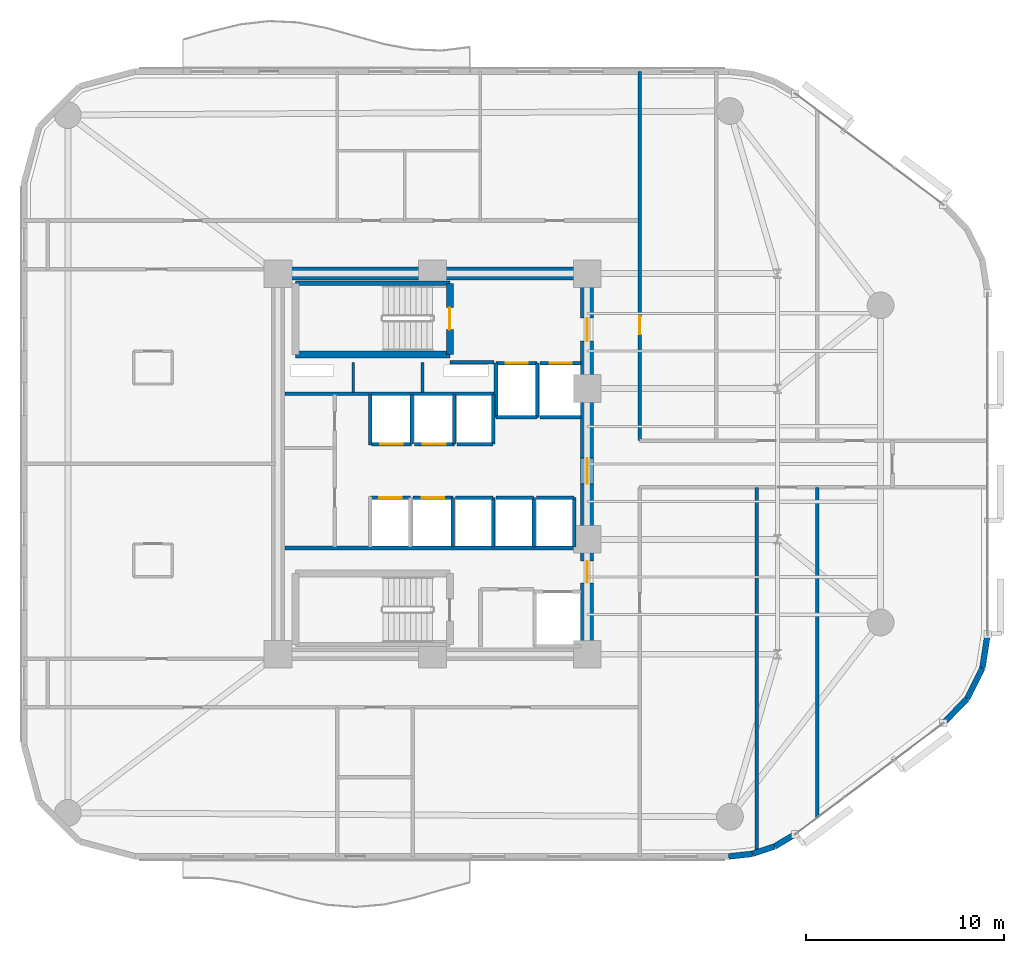
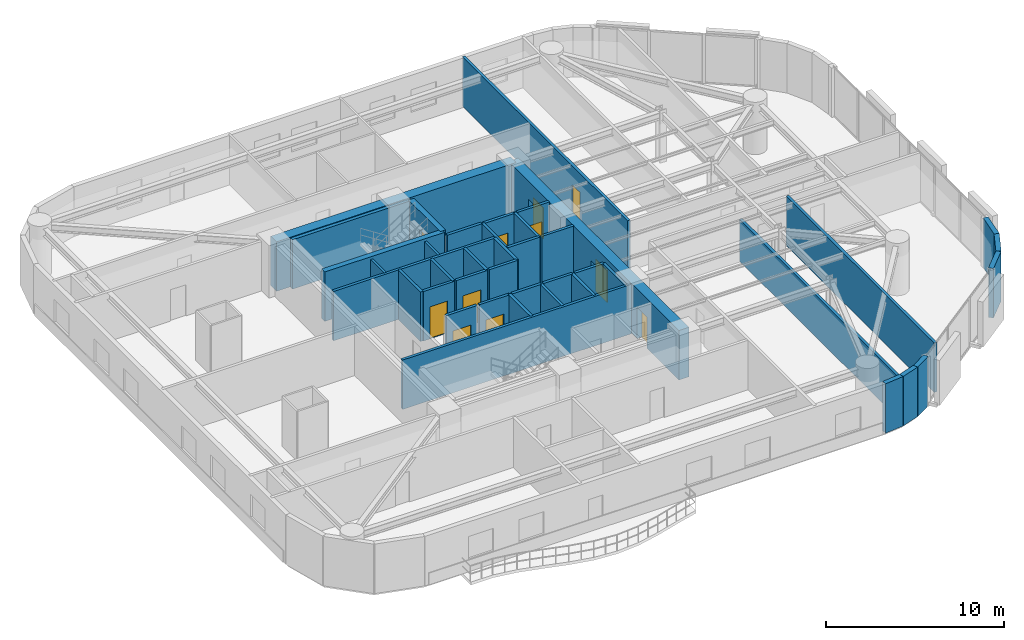
# One storey, part 11 of 16: 41 walls, 11 doors, 11 openings.
"""IFC4 building model written with IfcOpenShell, lengths in metres."""

from ifc_helpers import new_model, si_unit, direction, frame, frame_2d, origin, place, context, subcontext, project, spatial, rectangle, extrude, material, layer, layer_set, type_object, element, fill, save


model = new_model("IFC4")

# Units and contexts
model_context = context("Model", 3, precision=1e-05, world=origin(), true_north=direction((0.0, 1.0)))
body_context = subcontext(model_context, "Body", "Model", "MODEL_VIEW")
ifc_project = project(units=[si_unit("LENGTHUNIT", "METRE"), si_unit("AREAUNIT", "SQUARE_METRE"), si_unit("VOLUMEUNIT", "CUBIC_METRE"), si_unit("PLANEANGLEUNIT", "RADIAN"), si_unit("MASSUNIT", "GRAM", prefix="KILO")], contexts=[model_context])

# Site, building, storey
site_placement = place(None, origin())
site = spatial("IfcSite", under=ifc_project, at=site_placement, CompositionType="ELEMENT")
building_placement = place(site_placement, origin())
building = spatial("IfcBuilding", under=site, at=building_placement, Name="An Khanh Terracotta Commons", CompositionType="ELEMENT")
storey_placement = place(building_placement, frame((0.0, 0.0, 111.5)))
storey = spatial("IfcBuildingStorey", under=building, at=storey_placement, Name="L29", CompositionType="ELEMENT", Elevation=111.5)

# Wall
ifc_material_1 = material(Name="Concrete C60/75", Category="concrete")
ifc_layer_1 = layer(ifc_material_1, 0.64990234375, Name="Concrete C60/75")
ifc_layer_set_1 = layer_set([ifc_layer_1], Name="Concrete C60/75")
wall_type_1 = type_object("IfcWallType", Name="WALL-CORE-650", PredefinedType="SHEAR", material=ifc_layer_set_1)
wall_1_placement = place(storey_placement, frame((21.60009765625, 33.60009765625, 0.0), z_axis=(0.0, 0.0, 1.0), x_axis=(1.0, 0.0, 0.0)))
element("IfcWall", 1, at=wall_1_placement, inside=storey, type_object=wall_type_1, Name="L29 Core Wall CWALL-L29-N", PredefinedType="SHEAR", context=body_context, shape_type="SweptSolid", body=[
    extrude(rectangle(XDim=15.599853515625, YDim=0.64990234375, at=frame_2d((7.7998046875, 0.0))), origin(), (0.0, 0.0, 1.0), 3.39990234375),
])

# Wall, openings, doors
wall_2_placement = place(storey_placement, frame((37.199951171875, 14.39990234375, 0.0), z_axis=(0.0, 0.0, 1.0), x_axis=(0.0, 1.0, 0.0)))
wall_2 = element("IfcWall", 2, at=wall_2_placement, inside=storey, type_object=wall_type_1, Name="L29 Core Wall CWALL-L29-E", PredefinedType="SHEAR", context=body_context, shape_type="SweptSolid", body=[
    extrude(rectangle(XDim=19.2001953125, YDim=0.64990234375, at=frame_2d((9.60009765625, 0.0))), origin(), (0.0, 0.0, 1.0), 3.39990234375),
])
opening_1_placement = place(wall_2_placement, frame((15.800048828125, 0.0, 0.0)))
opening_1 = element("IfcOpeningElement", 3, at=opening_1_placement, cuts=wall_2, Name="Opening D-FFL", PredefinedType="OPENING", context=body_context, shape_type="SweptSolid", body=[
    extrude(rectangle(XDim=1.14990234375, YDim=2.14990234375, at=frame_2d((0.574951171875, 1.074951171875))), frame((0.0, 0.3349609375, 0.0), z_axis=(0.0, -1.0, 0.0), x_axis=(1.0, 0.0, 0.0)), (0.0, 0.0, 1.0), 0.669921875),
])
opening_2_placement = place(wall_2_placement, frame((3.60009765625, 0.0, 0.0)))
opening_2 = element("IfcOpeningElement", 4, at=opening_2_placement, cuts=wall_2, Name="Opening D-ST", PredefinedType="OPENING", context=body_context, shape_type="SweptSolid", body=[
    extrude(rectangle(XDim=1.10009765625, YDim=2.14990234375, at=frame_2d((0.550048828125, 1.074951171875))), frame((0.0, 0.3349609375, 0.0), z_axis=(0.0, -1.0, 0.0), x_axis=(1.0, 0.0, 0.0)), (0.0, 0.0, 1.0), 0.669921875),
])
opening_3_placement = place(wall_2_placement, frame((8.60009765625, 0.0, 0.0)))
opening_3 = element("IfcOpeningElement", 5, at=opening_3_placement, cuts=wall_2, Name="Opening D-COR", PredefinedType="OPENING", context=body_context, shape_type="SweptSolid", body=[
    extrude(rectangle(XDim=1.300048828125, YDim=2.199951171875, at=frame_2d((0.64990234375, 1.10009765625))), frame((0.0, 0.3349609375, 0.0), z_axis=(0.0, -1.0, 0.0), x_axis=(1.0, 0.0, 0.0)), (0.0, 0.0, 1.0), 0.669921875),
])
ifc_material_2 = material(Name="Fire-Rated Glazed Steel Double Door", Category="steel")
door_type_1 = type_object("IfcDoorType", Name="DOOR-CORR-1300", OperationType="NOTDEFINED", PredefinedType="DOOR", material=ifc_material_2)
door_1_placement = place(opening_3_placement, origin())
door_1 = element("IfcDoor", 6, at=door_1_placement, inside=storey, type_object=door_type_1, Name="L29 Passenger Lift Lobby Double Door", OperationType="DOUBLE_DOOR_SINGLE_SWING", OverallHeight=2.199951171875, OverallWidth=1.300048828125, PredefinedType="DOOR", context=body_context, shape_type="SweptSolid", body=[
    extrude(rectangle(XDim=1.300048828125, YDim=2.199951171875, at=frame_2d((0.64990234375, 1.10009765625))), frame((0.0, 0.02490234375, 0.0), z_axis=(0.0, -1.0, 0.0), x_axis=(1.0, 0.0, 0.0)), (0.0, 0.0, 1.0), 0.050048828125),
])
fill(opening_3, door_1)
ifc_material_3 = material(Name="Fire-Rated Steel Leaf and Vision Panel", Category="steel")
door_type_2 = type_object("IfcDoorType", Name="DOOR-FFL-1150", OperationType="NOTDEFINED", PredefinedType="DOOR", material=ifc_material_3)
door_2_placement = place(opening_1_placement, origin())
door_2 = element("IfcDoor", 7, at=door_2_placement, inside=storey, type_object=door_type_2, Name="L29 Firefighting Lift Lobby Fire Door", OperationType="SINGLE_SWING_LEFT", OverallHeight=2.14990234375, OverallWidth=1.14990234375, PredefinedType="DOOR", context=body_context, shape_type="SweptSolid", body=[
    extrude(rectangle(XDim=1.14990234375, YDim=2.14990234375, at=frame_2d((0.574951171875, 1.074951171875))), frame((0.0, 0.02490234375, 0.0), z_axis=(0.0, -1.0, 0.0), x_axis=(1.0, 0.0, 0.0)), (0.0, 0.0, 1.0), 0.050048828125),
])
fill(opening_1, door_2)
ifc_material_4 = material(Name="Fire-Rated Steel Leaf and Frame", Category="steel")
door_type_3 = type_object("IfcDoorType", Name="DOOR-STAIR-1100", OperationType="NOTDEFINED", PredefinedType="DOOR", material=ifc_material_4)
door_3_placement = place(opening_2_placement, origin())
door_3 = element("IfcDoor", 8, at=door_3_placement, inside=storey, type_object=door_type_3, Name="L29 South Stair Lobby Fire Door", OperationType="SINGLE_SWING_RIGHT", OverallHeight=2.14990234375, OverallWidth=1.10009765625, PredefinedType="DOOR", context=body_context, shape_type="SweptSolid", body=[
    extrude(rectangle(XDim=1.10009765625, YDim=2.14990234375, at=frame_2d((0.550048828125, 1.074951171875))), frame((0.0, 0.02490234375, 0.0), z_axis=(0.0, -1.0, 0.0), x_axis=(1.0, 0.0, 0.0)), (0.0, 0.0, 1.0), 0.050048828125),
])
fill(opening_2, door_3)

# Walls
ifc_material_5 = material(Name="Fire-Rated Gypsum Board on Steel Stud", Category="steel")
ifc_layer_2 = layer(ifc_material_5, 0.179931640625, Name="Fire-Rated Gypsum Board on Steel Stud")
ifc_layer_set_2 = layer_set([ifc_layer_2], Name="Fire-Rated Gypsum Board on Steel Stud")
wall_type_2 = type_object("IfcWallType", Name="WALL-CORR-180", PredefinedType="PARTITIONING", material=ifc_layer_set_2)
wall_3_placement = place(storey_placement, frame((30.27001953125, 29.1201171875, 0.0), z_axis=(0.0, 0.0, 1.0), x_axis=(1.0, 0.0, 0.0)))
element("IfcWall", 9, at=wall_3_placement, inside=storey, type_object=wall_type_2, Name="L29 Core Wall FFLW-L29-S", PredefinedType="PARTITIONING", context=body_context, shape_type="SweptSolid", body=[
    extrude(rectangle(XDim=2.239990234375, YDim=0.179931640625, at=frame_2d((1.1201171875, 0.0))), origin(), (0.0, 0.0, 1.0), 3.39990234375),
])
wall_4_placement = place(storey_placement, frame((21.949951171875, 27.5400390625, 0.0), z_axis=(0.0, 0.0, 1.0), x_axis=(1.0, 0.0, 0.0)))
element("IfcWall", 10, at=wall_4_placement, inside=storey, type_object=wall_type_2, Name="L29 Core Wall RSRW-L29-S", PredefinedType="PARTITIONING", context=body_context, shape_type="SweptSolid", body=[
    extrude(rectangle(XDim=10.56005859375, YDim=0.179931640625, at=frame_2d((5.280029296875, 0.0))), origin(), (0.0, 0.0, 1.0), 3.39990234375),
])
wall_5_placement = place(storey_placement, frame((21.949951171875, 19.760009765625, 0.0), z_axis=(0.0, 0.0, 1.0), x_axis=(1.0, 0.0, 0.0)))
element("IfcWall", 11, at=wall_5_placement, inside=storey, type_object=wall_type_2, Name="L29 Core Wall SVW-L29-N", PredefinedType="PARTITIONING", context=body_context, shape_type="SweptSolid", body=[
    extrude(rectangle(XDim=14.8701171875, YDim=0.179931640625, at=frame_2d((7.43505859375, 0.0))), origin(), (0.0, 0.0, 1.0), 3.39990234375),
])

# Wall, opening, door
wall_6_placement = place(storey_placement, frame((32.60009765625, 29.080078125, 0.0), z_axis=(0.0, 0.0, 1.0), x_axis=(1.0, 0.0, 0.0)))
wall_6 = element("IfcWall", 12, at=wall_6_placement, inside=storey, type_object=wall_type_2, Name="L29 Core Wall LSH-L29-FFL-01-N", PredefinedType="PARTITIONING", context=body_context, shape_type="SweptSolid", body=[
    extrude(rectangle(XDim=2.079833984375, YDim=0.179931640625, at=frame_2d((1.0400390625, 0.0))), origin(), (0.0, 0.0, 1.0), 3.39990234375),
])
opening_4_placement = place(wall_6_placement, frame((0.489990234375, 0.0, 0.0)))
opening_4 = element("IfcOpeningElement", 13, at=opening_4_placement, cuts=wall_6, Name="Opening LD-FFL-01-L29", PredefinedType="OPENING", context=body_context, shape_type="SweptSolid", body=[
    extrude(rectangle(XDim=1.10009765625, YDim=2.199951171875, at=frame_2d((0.550048828125, 1.10009765625))), frame((0.0, 0.099853515625, 0.0), z_axis=(0.0, -1.0, 0.0), x_axis=(1.0, 0.0, 0.0)), (0.0, 0.0, 1.0), 0.199951171875),
])
ifc_material_6 = material(Name="Brushed Stainless Steel Fire Landing Door", Category="steel")
door_type_4 = type_object("IfcDoorType", Name="DOOR-LD-FFL-1100", OperationType="NOTDEFINED", PredefinedType="DOOR", material=ifc_material_6)
door_4_placement = place(opening_4_placement, origin())
door_4 = element("IfcDoor", 14, at=door_4_placement, inside=storey, type_object=door_type_4, Name="L29 Lift FFL-01 Sliding Landing Door", OperationType="DOUBLE_DOOR_SLIDING", OverallHeight=2.199951171875, OverallWidth=1.10009765625, PredefinedType="DOOR", context=body_context, shape_type="SweptSolid", body=[
    extrude(rectangle(XDim=1.10009765625, YDim=2.199951171875, at=frame_2d((0.550048828125, 1.10009765625))), frame((0.0, 0.02490234375, 0.0), z_axis=(0.0, -1.0, 0.0), x_axis=(1.0, 0.0, 0.0)), (0.0, 0.0, 1.0), 0.050048828125),
])
fill(opening_4, door_4)

# Walls
wall_7_placement = place(storey_placement, frame((34.679931640625, 26.35009765625, 0.0), z_axis=(0.0, 0.0, 1.0), x_axis=(-1.0, 0.0, 0.0)))
element("IfcWall", 15, at=wall_7_placement, inside=storey, type_object=wall_type_2, Name="L29 Core Wall LSH-L29-FFL-01-S", PredefinedType="PARTITIONING", context=body_context, shape_type="SweptSolid", body=[
    extrude(rectangle(XDim=2.079833984375, YDim=0.179931640625, at=frame_2d((1.0400390625, 0.0))), origin(), (0.0, 0.0, 1.0), 3.39990234375),
])
for number, where, z_axis, x_axis, name in (
    (16, (34.679931640625, 26.35009765625, 0.0), (0.0, 0.0, 1.0), (0.0, 1.0, 0.0), "L29 Core Wall LSH-L29-FFL-01-E"),
    (17, (32.60009765625, 29.080078125, 0.0), (0.0, 0.0, 1.0), (0.0, -1.0, 0.0), "L29 Core Wall LSH-L29-FFL-01-W"),
):
    element("IfcWall", number, at=place(storey_placement, frame(where, z_axis=z_axis, x_axis=x_axis)), inside=storey, type_object=wall_type_2, Name=name, PredefinedType="PARTITIONING", context=body_context, shape_type="SweptSolid", body=[
        extrude(rectangle(XDim=2.72998046875, YDim=0.179931640625, at=frame_2d((1.364990234375, 0.0))), origin(), (0.0, 0.0, 1.0), 3.39990234375),
    ])

# Wall, opening, door
wall_8_placement = place(storey_placement, frame((34.820068359375, 29.080078125, 0.0), z_axis=(0.0, 0.0, 1.0), x_axis=(1.0, 0.0, 0.0)))
wall_8 = element("IfcWall", 18, at=wall_8_placement, inside=storey, type_object=wall_type_2, Name="L29 Core Wall LSH-L29-FFL-02-N", PredefinedType="PARTITIONING", context=body_context, shape_type="SweptSolid", body=[
    extrude(rectangle(XDim=2.079833984375, YDim=0.179931640625, at=frame_2d((1.0400390625, 0.0))), origin(), (0.0, 0.0, 1.0), 3.39990234375),
])
opening_5_placement = place(wall_8_placement, frame((0.489990234375, 0.0, 0.0)))
opening_5 = element("IfcOpeningElement", 19, at=opening_5_placement, cuts=wall_8, Name="Opening LD-FFL-02-L29", PredefinedType="OPENING", context=body_context, shape_type="SweptSolid", body=[
    extrude(rectangle(XDim=1.10009765625, YDim=2.199951171875, at=frame_2d((0.550048828125, 1.10009765625))), frame((0.0, 0.099853515625, 0.0), z_axis=(0.0, -1.0, 0.0), x_axis=(1.0, 0.0, 0.0)), (0.0, 0.0, 1.0), 0.199951171875),
])
door_5_placement = place(opening_5_placement, origin())
door_5 = element("IfcDoor", 20, at=door_5_placement, inside=storey, type_object=door_type_4, Name="L29 Lift FFL-02 Sliding Landing Door", OperationType="DOUBLE_DOOR_SLIDING", OverallHeight=2.199951171875, OverallWidth=1.10009765625, PredefinedType="DOOR", context=body_context, shape_type="SweptSolid", body=[
    extrude(rectangle(XDim=1.10009765625, YDim=2.199951171875, at=frame_2d((0.550048828125, 1.10009765625))), frame((0.0, 0.02490234375, 0.0), z_axis=(0.0, -1.0, 0.0), x_axis=(1.0, 0.0, 0.0)), (0.0, 0.0, 1.0), 0.050048828125),
])
fill(opening_5, door_5)

# Wall
wall_9_placement = place(storey_placement, frame((36.89990234375, 26.35009765625, 0.0), z_axis=(0.0, 0.0, 1.0), x_axis=(-1.0, 0.0, 0.0)))
element("IfcWall", 21, at=wall_9_placement, inside=storey, type_object=wall_type_2, Name="L29 Core Wall LSH-L29-FFL-02-S", PredefinedType="PARTITIONING", context=body_context, shape_type="SweptSolid", body=[
    extrude(rectangle(XDim=2.079833984375, YDim=0.179931640625, at=frame_2d((1.0400390625, 0.0))), origin(), (0.0, 0.0, 1.0), 3.39990234375),
])

# Wall, opening, door
wall_10_placement = place(storey_placement, frame((28.340087890625, 25.0, 0.0), z_axis=(0.0, 0.0, 1.0), x_axis=(-1.0, 0.0, 0.0)))
wall_10 = element("IfcWall", 22, at=wall_10_placement, inside=storey, type_object=wall_type_2, Name="L29 Core Wall LSH-L29-PL-M1-S", PredefinedType="PARTITIONING", context=body_context, shape_type="SweptSolid", body=[
    extrude(rectangle(XDim=2.02001953125, YDim=0.179931640625, at=frame_2d((1.010009765625, 0.0))), origin(), (0.0, 0.0, 1.0), 3.39990234375),
])
opening_6_placement = place(wall_10_placement, frame((0.43505859375, 0.0, 0.0)))
opening_6 = element("IfcOpeningElement", 23, at=opening_6_placement, cuts=wall_10, Name="Opening LD-PL-M1-L29", PredefinedType="OPENING", context=body_context, shape_type="SweptSolid", body=[
    extrude(rectangle(XDim=1.14990234375, YDim=2.199951171875, at=frame_2d((0.574951171875, 1.10009765625))), frame((0.0, 0.099853515625, 0.0), z_axis=(0.0, -1.0, 0.0), x_axis=(1.0, 0.0, 0.0)), (0.0, 0.0, 1.0), 0.199951171875),
])
ifc_material_7 = material(Name="Brushed Stainless Steel Passenger Landing Door", Category="steel")
door_type_5 = type_object("IfcDoorType", Name="DOOR-LD-PAX-1150", OperationType="NOTDEFINED", PredefinedType="DOOR", material=ifc_material_7)
door_6_placement = place(opening_6_placement, origin())
door_6 = element("IfcDoor", 24, at=door_6_placement, inside=storey, type_object=door_type_5, Name="L29 Lift PL-M1 Sliding Landing Door", OperationType="DOUBLE_DOOR_SLIDING", OverallHeight=2.199951171875, OverallWidth=1.14990234375, PredefinedType="DOOR", context=body_context, shape_type="SweptSolid", body=[
    extrude(rectangle(XDim=1.14990234375, YDim=2.199951171875, at=frame_2d((0.574951171875, 1.10009765625))), frame((0.0, 0.02490234375, 0.0), z_axis=(0.0, -1.0, 0.0), x_axis=(1.0, 0.0, 0.0)), (0.0, 0.0, 1.0), 0.050048828125),
])
fill(opening_6, door_6)

# Wall
wall_11_placement = place(storey_placement, frame((28.340087890625, 25.0, 0.0), z_axis=(0.0, 0.0, 1.0), x_axis=(0.0, 1.0, 0.0)))
element("IfcWall", 25, at=wall_11_placement, inside=storey, type_object=wall_type_2, Name="L29 Core Wall LSH-L29-PL-M1-E", PredefinedType="PARTITIONING", context=body_context, shape_type="SweptSolid", body=[
    extrude(rectangle(XDim=2.5, YDim=0.179931640625, at=frame_2d((1.25, 0.0))), origin(), (0.0, 0.0, 1.0), 3.39990234375),
])

# Wall, opening, door
wall_12_placement = place(storey_placement, frame((30.5, 25.0, 0.0), z_axis=(0.0, 0.0, 1.0), x_axis=(-1.0, 0.0, 0.0)))
wall_12 = element("IfcWall", 26, at=wall_12_placement, inside=storey, type_object=wall_type_2, Name="L29 Core Wall LSH-L29-PL-M2-S", PredefinedType="PARTITIONING", context=body_context, shape_type="SweptSolid", body=[
    extrude(rectangle(XDim=2.02001953125, YDim=0.179931640625, at=frame_2d((1.010009765625, 0.0))), origin(), (0.0, 0.0, 1.0), 3.39990234375),
])
opening_7_placement = place(wall_12_placement, frame((0.43505859375, 0.0, 0.0)))
opening_7 = element("IfcOpeningElement", 27, at=opening_7_placement, cuts=wall_12, Name="Opening LD-PL-M2-L29", PredefinedType="OPENING", context=body_context, shape_type="SweptSolid", body=[
    extrude(rectangle(XDim=1.14990234375, YDim=2.199951171875, at=frame_2d((0.574951171875, 1.10009765625))), frame((0.0, 0.099853515625, 0.0), z_axis=(0.0, -1.0, 0.0), x_axis=(1.0, 0.0, 0.0)), (0.0, 0.0, 1.0), 0.199951171875),
])
door_7_placement = place(opening_7_placement, origin())
door_7 = element("IfcDoor", 28, at=door_7_placement, inside=storey, type_object=door_type_5, Name="L29 Lift PL-M2 Sliding Landing Door", OperationType="DOUBLE_DOOR_SLIDING", OverallHeight=2.199951171875, OverallWidth=1.14990234375, PredefinedType="DOOR", context=body_context, shape_type="SweptSolid", body=[
    extrude(rectangle(XDim=1.14990234375, YDim=2.199951171875, at=frame_2d((0.574951171875, 1.10009765625))), frame((0.0, 0.02490234375, 0.0), z_axis=(0.0, -1.0, 0.0), x_axis=(1.0, 0.0, 0.0)), (0.0, 0.0, 1.0), 0.050048828125),
])
fill(opening_7, door_7)

# Wall
wall_13_placement = place(storey_placement, frame((30.5, 25.0, 0.0), z_axis=(0.0, 0.0, 1.0), x_axis=(0.0, 1.0, 0.0)))
element("IfcWall", 29, at=wall_13_placement, inside=storey, type_object=wall_type_2, Name="L29 Core Wall LSH-L29-PL-M2-E", PredefinedType="PARTITIONING", context=body_context, shape_type="SweptSolid", body=[
    extrude(rectangle(XDim=2.5, YDim=0.179931640625, at=frame_2d((1.25, 0.0))), origin(), (0.0, 0.0, 1.0), 3.39990234375),
])

# Wall, opening, door
wall_14_placement = place(storey_placement, frame((26.280029296875, 22.300048828125, 0.0), z_axis=(0.0, 0.0, 1.0), x_axis=(1.0, 0.0, 0.0)))
wall_14 = element("IfcWall", 30, at=wall_14_placement, inside=storey, type_object=wall_type_2, Name="L29 Core Wall LSH-L29-PL-M3-N", PredefinedType="PARTITIONING", context=body_context, shape_type="SweptSolid", body=[
    extrude(rectangle(XDim=2.0, YDim=0.179931640625, at=frame_2d((1.0, 0.0))), origin(), (0.0, 0.0, 1.0), 3.39990234375),
])
opening_8_placement = place(wall_14_placement, frame((0.425048828125, 0.0, 0.0)))
opening_8 = element("IfcOpeningElement", 31, at=opening_8_placement, cuts=wall_14, Name="Opening LD-PL-M3-L29", PredefinedType="OPENING", context=body_context, shape_type="SweptSolid", body=[
    extrude(rectangle(XDim=1.14990234375, YDim=2.199951171875, at=frame_2d((0.574951171875, 1.10009765625))), frame((0.0, 0.099853515625, 0.0), z_axis=(0.0, -1.0, 0.0), x_axis=(1.0, 0.0, 0.0)), (0.0, 0.0, 1.0), 0.199951171875),
])
door_8_placement = place(opening_8_placement, origin())
door_8 = element("IfcDoor", 32, at=door_8_placement, inside=storey, type_object=door_type_5, Name="L29 Lift PL-M3 Sliding Landing Door", OperationType="DOUBLE_DOOR_SLIDING", OverallHeight=2.199951171875, OverallWidth=1.14990234375, PredefinedType="DOOR", context=body_context, shape_type="SweptSolid", body=[
    extrude(rectangle(XDim=1.14990234375, YDim=2.199951171875, at=frame_2d((0.574951171875, 1.10009765625))), frame((0.0, 0.02490234375, 0.0), z_axis=(0.0, -1.0, 0.0), x_axis=(1.0, 0.0, 0.0)), (0.0, 0.0, 1.0), 0.050048828125),
])
fill(opening_8, door_8)

wall_15_placement = place(storey_placement, frame((28.419921875, 22.300048828125, 0.0), z_axis=(0.0, 0.0, 1.0), x_axis=(1.0, 0.0, 0.0)))
wall_15 = element("IfcWall", 33, at=wall_15_placement, inside=storey, type_object=wall_type_2, Name="L29 Core Wall LSH-L29-PL-M4-N", PredefinedType="PARTITIONING", context=body_context, shape_type="SweptSolid", body=[
    extrude(rectangle(XDim=2.0, YDim=0.179931640625, at=frame_2d((1.0, 0.0))), origin(), (0.0, 0.0, 1.0), 3.39990234375),
])
opening_9_placement = place(wall_15_placement, frame((0.425048828125, 0.0, 0.0)))
opening_9 = element("IfcOpeningElement", 34, at=opening_9_placement, cuts=wall_15, Name="Opening LD-PL-M4-L29", PredefinedType="OPENING", context=body_context, shape_type="SweptSolid", body=[
    extrude(rectangle(XDim=1.14990234375, YDim=2.199951171875, at=frame_2d((0.574951171875, 1.10009765625))), frame((0.0, 0.099853515625, 0.0), z_axis=(0.0, -1.0, 0.0), x_axis=(1.0, 0.0, 0.0)), (0.0, 0.0, 1.0), 0.199951171875),
])
door_9_placement = place(opening_9_placement, origin())
door_9 = element("IfcDoor", 35, at=door_9_placement, inside=storey, type_object=door_type_5, Name="L29 Lift PL-M4 Sliding Landing Door", OperationType="DOUBLE_DOOR_SLIDING", OverallHeight=2.199951171875, OverallWidth=1.14990234375, PredefinedType="DOOR", context=body_context, shape_type="SweptSolid", body=[
    extrude(rectangle(XDim=1.14990234375, YDim=2.199951171875, at=frame_2d((0.574951171875, 1.10009765625))), frame((0.0, 0.02490234375, 0.0), z_axis=(0.0, -1.0, 0.0), x_axis=(1.0, 0.0, 0.0)), (0.0, 0.0, 1.0), 0.050048828125),
])
fill(opening_9, door_9)

# Walls
wall_16_placement = place(storey_placement, frame((30.419921875, 19.800048828125, 0.0), z_axis=(0.0, 0.0, 1.0), x_axis=(0.0, 1.0, 0.0)))
element("IfcWall", 36, at=wall_16_placement, inside=storey, type_object=wall_type_2, Name="L29 Core Wall LSH-L29-PL-M4-E", PredefinedType="PARTITIONING", context=body_context, shape_type="SweptSolid", body=[
    extrude(rectangle(XDim=2.5, YDim=0.179931640625, at=frame_2d((1.25, 0.0))), origin(), (0.0, 0.0, 1.0), 3.39990234375),
])
wall_17_placement = place(storey_placement, frame((32.4599609375, 25.0, 0.0), z_axis=(0.0, 0.0, 1.0), x_axis=(-1.0, 0.0, 0.0)))
element("IfcWall", 37, at=wall_17_placement, inside=storey, type_object=wall_type_2, Name="L29 Core Wall LSH-L29-PL-H1-S", PredefinedType="PARTITIONING", context=body_context, shape_type="SweptSolid", body=[
    extrude(rectangle(XDim=1.820068359375, YDim=0.179931640625, at=frame_2d((0.91015625, 0.0))), origin(), (0.0, 0.0, 1.0), 3.39990234375),
])
wall_18_placement = place(storey_placement, frame((32.4599609375, 25.0, 0.0), z_axis=(0.0, 0.0, 1.0), x_axis=(0.0, 1.0, 0.0)))
element("IfcWall", 38, at=wall_18_placement, inside=storey, type_object=wall_type_2, Name="L29 Core Wall LSH-L29-PL-H1-E", PredefinedType="PARTITIONING", context=body_context, shape_type="SweptSolid", body=[
    extrude(rectangle(XDim=2.5, YDim=0.179931640625, at=frame_2d((1.25, 0.0))), origin(), (0.0, 0.0, 1.0), 3.39990234375),
])
wall_19_placement = place(storey_placement, frame((30.56005859375, 22.300048828125, 0.0), z_axis=(0.0, 0.0, 1.0), x_axis=(1.0, 0.0, 0.0)))
element("IfcWall", 39, at=wall_19_placement, inside=storey, type_object=wall_type_2, Name="L29 Core Wall LSH-L29-PL-H2-N", PredefinedType="PARTITIONING", context=body_context, shape_type="SweptSolid", body=[
    extrude(rectangle(XDim=1.89990234375, YDim=0.179931640625, at=frame_2d((0.949951171875, 0.0))), origin(), (0.0, 0.0, 1.0), 3.39990234375),
])
wall_20_placement = place(storey_placement, frame((32.4599609375, 19.800048828125, 0.0), z_axis=(0.0, 0.0, 1.0), x_axis=(0.0, 1.0, 0.0)))
element("IfcWall", 40, at=wall_20_placement, inside=storey, type_object=wall_type_2, Name="L29 Core Wall LSH-L29-PL-H2-E", PredefinedType="PARTITIONING", context=body_context, shape_type="SweptSolid", body=[
    extrude(rectangle(XDim=2.5, YDim=0.179931640625, at=frame_2d((1.25, 0.0))), origin(), (0.0, 0.0, 1.0), 3.39990234375),
])
wall_21_placement = place(storey_placement, frame((32.60009765625, 22.300048828125, 0.0), z_axis=(0.0, 0.0, 1.0), x_axis=(1.0, 0.0, 0.0)))
element("IfcWall", 41, at=wall_21_placement, inside=storey, type_object=wall_type_2, Name="L29 Core Wall LSH-L29-PL-H3-N", PredefinedType="PARTITIONING", context=body_context, shape_type="SweptSolid", body=[
    extrude(rectangle(XDim=1.89990234375, YDim=0.179931640625, at=frame_2d((0.949951171875, 0.0))), origin(), (0.0, 0.0, 1.0), 3.39990234375),
])
wall_22_placement = place(storey_placement, frame((34.5, 19.800048828125, 0.0), z_axis=(0.0, 0.0, 1.0), x_axis=(0.0, 1.0, 0.0)))
element("IfcWall", 42, at=wall_22_placement, inside=storey, type_object=wall_type_2, Name="L29 Core Wall LSH-L29-PL-H3-E", PredefinedType="PARTITIONING", context=body_context, shape_type="SweptSolid", body=[
    extrude(rectangle(XDim=2.5, YDim=0.179931640625, at=frame_2d((1.25, 0.0))), origin(), (0.0, 0.0, 1.0), 3.39990234375),
])
wall_23_placement = place(storey_placement, frame((34.639892578125, 22.300048828125, 0.0), z_axis=(0.0, 0.0, 1.0), x_axis=(1.0, 0.0, 0.0)))
element("IfcWall", 43, at=wall_23_placement, inside=storey, type_object=wall_type_2, Name="L29 Core Wall LSH-L29-PL-H4-N", PredefinedType="PARTITIONING", context=body_context, shape_type="SweptSolid", body=[
    extrude(rectangle(XDim=1.900146484375, YDim=0.179931640625, at=frame_2d((0.9501953125, 0.0))), origin(), (0.0, 0.0, 1.0), 3.39990234375),
])
wall_24_placement = place(storey_placement, frame((36.5400390625, 19.800048828125, 0.0), z_axis=(0.0, 0.0, 1.0), x_axis=(0.0, 1.0, 0.0)))
element("IfcWall", 44, at=wall_24_placement, inside=storey, type_object=wall_type_2, Name="L29 Core Wall LSH-L29-PL-H4-E", PredefinedType="PARTITIONING", context=body_context, shape_type="SweptSolid", body=[
    extrude(rectangle(XDim=2.5, YDim=0.179931640625, at=frame_2d((1.25, 0.0))), origin(), (0.0, 0.0, 1.0), 3.39990234375),
])
wall_25_placement = place(storey_placement, frame((26.25, 24.949951171875, 0.0), z_axis=(0.0, 0.0, 1.0), x_axis=(0.0, 1.0, 0.0)))
element("IfcWall", 45, at=wall_25_placement, inside=storey, type_object=wall_type_2, Name="L29 Core Wall RECW-L29-BE1", PredefinedType="PARTITIONING", context=body_context, shape_type="SweptSolid", body=[
    extrude(rectangle(XDim=2.550048828125, YDim=0.179931640625, at=frame_2d((1.27490234375, 0.0))), origin(), (0.0, 0.0, 1.0), 3.39990234375),
])

# Wall, opening, door
wall_26_placement = place(storey_placement, frame((39.85009765625, 25.179931640625, 0.0), z_axis=(0.0, 0.0, 1.0), x_axis=(0.0, 1.0, 0.0)))
wall_26 = element("IfcWall", 46, at=wall_26_placement, inside=storey, type_object=wall_type_2, Name="L29 Interior Partition IW-L29-E018", PredefinedType="PARTITIONING", context=body_context, shape_type="SweptSolid", body=[
    extrude(rectangle(XDim=18.6201171875, YDim=0.179931640625, at=frame_2d((9.31005859375, 0.0))), origin(), (0.0, 0.0, 1.0), 3.39990234375),
])
opening_10_placement = place(wall_26_placement, frame((5.35009765625, 0.0, 0.0)))
opening_10 = element("IfcOpeningElement", 47, at=opening_10_placement, cuts=wall_26, Name="Opening D-RM", PredefinedType="OPENING", context=body_context, shape_type="SweptSolid", body=[
    extrude(rectangle(XDim=0.919921875, YDim=2.10009765625, at=frame_2d((0.4599609375, 1.050048828125))), frame((0.0, 0.099853515625, 0.0), z_axis=(0.0, -1.0, 0.0), x_axis=(1.0, 0.0, 0.0)), (0.0, 0.0, 1.0), 0.199951171875),
])
ifc_material_8 = material(Name="Engineered Hardwood Timber Leaf", Category="wood")
door_type_6 = type_object("IfcDoorType", Name="DOOR-INT-920", OperationType="NOTDEFINED", PredefinedType="DOOR", material=ifc_material_8)
door_10_placement = place(opening_10_placement, origin())
door_10 = element("IfcDoor", 48, at=door_10_placement, inside=storey, type_object=door_type_6, Name="L29 NB1 Collaborative Study Lounge Door", OperationType="SINGLE_SWING_LEFT", OverallHeight=2.10009765625, OverallWidth=0.919921875, PredefinedType="DOOR", context=body_context, shape_type="SweptSolid", body=[
    extrude(rectangle(XDim=0.919921875, YDim=2.10009765625, at=frame_2d((0.4599609375, 1.050048828125))), frame((0.0, 0.02490234375, 0.0), z_axis=(0.0, -1.0, 0.0), x_axis=(1.0, 0.0, 0.0)), (0.0, 0.0, 1.0), 0.050048828125),
])
fill(opening_10, door_10)

# Walls
wall_27_placement = place(storey_placement, frame((45.757080078125, 4.405029296875, 0.0), z_axis=(0.0, 0.0, 1.0), x_axis=(0.0, 1.0, 0.0)))
element("IfcWall", 49, at=wall_27_placement, inside=storey, type_object=wall_type_2, Name="L29 Interior Partition IW-L29-E020", PredefinedType="PARTITIONING", context=body_context, shape_type="SweptSolid", body=[
    extrude(rectangle(XDim=18.4150390625, YDim=0.179931640625, at=frame_2d((9.20751953125, 0.0))), origin(), (0.0, 0.0, 1.0), 2.882080078125),
])
wall_28_placement = place(storey_placement, frame((48.800048828125, 6.14990234375, 0.0), z_axis=(0.0, 0.0, 1.0), x_axis=(0.0, 1.0, 0.0)))
element("IfcWall", 50, at=wall_28_placement, inside=storey, type_object=wall_type_2, Name="L29 Interior Partition IW-L29-E021", PredefinedType="PARTITIONING", context=body_context, shape_type="SweptSolid", body=[
    extrude(rectangle(XDim=16.670166015625, YDim=0.179931640625, at=frame_2d((8.3349609375, 0.0))), origin(), (0.0, 0.0, 1.0), 3.39990234375),
])
ifc_material_9 = material(Name="Precast concrete C40/50", Category="concrete")
ifc_layer_3 = layer(ifc_material_9, 0.300048828125, Name="Precast concrete C40/50")
ifc_layer_set_3 = layer_set([ifc_layer_3], Name="Precast concrete C40/50")
wall_type_3 = type_object("IfcWallType", Name="WALL-EXT-300", PredefinedType="SOLIDWALL", material=ifc_layer_set_3)
wall_29_placement = place(storey_placement, frame((44.3330078125, 4.199951171875, 0.0), z_axis=(0.0, 0.0, 1.0), x_axis=(0.994289103787, 0.106720092254, 0.0)))
element("IfcWall", 51, at=wall_29_placement, inside=storey, type_object=wall_type_3, Name="L29 Insulated Terracotta Exterior Wall 5", PredefinedType="SOLIDWALL", context=body_context, shape_type="SweptSolid", body=[
    extrude(rectangle(XDim=1.19873046875, YDim=0.300048828125, at=frame_2d((0.599365234375, 0.0))), origin(), (0.0, 0.0, 1.0), 3.39990234375),
])
wall_30_placement = place(storey_placement, frame((45.52490234375, 4.327880859375, 0.0), z_axis=(0.0, 0.0, 1.0), x_axis=(0.948744332129, 0.316044604847, 0.0)))
element("IfcWall", 52, at=wall_30_placement, inside=storey, type_object=wall_type_3, Name="L29 Insulated Terracotta Exterior Wall 6", PredefinedType="SOLIDWALL", context=body_context, shape_type="SweptSolid", body=[
    extrude(rectangle(XDim=1.19970703125, YDim=0.300048828125, at=frame_2d((0.599853515625, 0.0))), origin(), (0.0, 0.0, 1.0), 3.39990234375),
])
wall_31_placement = place(storey_placement, frame((46.6630859375, 4.70703125, 0.0), z_axis=(0.0, 0.0, 1.0), x_axis=(0.859320591642, 0.511437308749, 0.0)))
element("IfcWall", 53, at=wall_31_placement, inside=storey, type_object=wall_type_3, Name="L29 Insulated Terracotta Exterior Wall 7", PredefinedType="SOLIDWALL", context=body_context, shape_type="SweptSolid", body=[
    extrude(rectangle(XDim=1.19873046875, YDim=0.300048828125, at=frame_2d((0.599365234375, 0.0))), origin(), (0.0, 0.0, 1.0), 3.39990234375),
])
for number, where, z_axis, x_axis, name in (
    (54, (55.159912109375, 10.919921875, 0.0), (0.0, 0.0, 1.0), (0.6983450845, 0.715761233201, 0.0), "L29 Insulated Terracotta Exterior Wall 9"),
    (55, (56.364013671875, 12.154052734375, 0.0), (0.0, 0.0, 1.0), (0.4472135955, 0.894427191, 0.0), "L29 Insulated Terracotta Exterior Wall 10"),
):
    element("IfcWall", number, at=place(storey_placement, frame(where, z_axis=z_axis, x_axis=x_axis)), inside=storey, type_object=wall_type_3, Name=name, PredefinedType="SOLIDWALL", context=body_context, shape_type="SweptSolid", body=[
        extrude(rectangle(XDim=1.72412109375, YDim=0.300048828125, at=frame_2d((0.862060546875, 0.0))), origin(), (0.0, 0.0, 1.0), 3.39990234375),
    ])
wall_32_placement = place(storey_placement, frame((57.135009765625, 13.696044921875, 0.0), z_axis=(0.0, 0.0, 1.0), x_axis=(0.153620989032, 0.988129845581, 0.0)))
element("IfcWall", 56, at=wall_32_placement, inside=storey, type_object=wall_type_3, Name="L29 Insulated Terracotta Exterior Wall 11", PredefinedType="SOLIDWALL", context=body_context, shape_type="SweptSolid", body=[
    extrude(rectangle(XDim=1.724365234375, YDim=0.300048828125, at=frame_2d((0.8623046875, 0.0))), origin(), (0.0, 0.0, 1.0), 3.39990234375),
])
ifc_material_10 = material(Name="Acoustic Gypsum Board Partition")
ifc_layer_4 = layer(ifc_material_10, 0.14990234375, Name="Acoustic Gypsum Board Partition")
ifc_layer_set_4 = layer_set([ifc_layer_4], Name="Acoustic Gypsum Board Partition")
wall_type_4 = type_object("IfcWallType", Name="WALL-PART-150", PredefinedType="PARTITIONING", material=ifc_layer_set_4)
for number, where, z_axis, x_axis, name in (
    (57, (25.39990234375, 27.60009765625, 0.0), (0.0, 0.0, 1.0), (0.0, 1.0, 0.0), "L29 Core Wall RSRW-L29-D1"),
    (58, (28.89990234375, 27.60009765625, 0.0), (0.0, 0.0, 1.0), (0.0, 1.0, 0.0), "L29 Core Wall RSRW-L29-D2"),
):
    element("IfcWall", number, at=place(storey_placement, frame(where, z_axis=z_axis, x_axis=x_axis)), inside=storey, type_object=wall_type_4, Name=name, PredefinedType="PARTITIONING", context=body_context, shape_type="SweptSolid", body=[
        extrude(rectangle(XDim=1.52001953125, YDim=0.14990234375, at=frame_2d((0.760009765625, 0.0))), origin(), (0.0, 0.0, 1.0), 3.39990234375),
    ])
ifc_material_11 = material(Name="Acoustic Double-Stud Gypsum and Mineral Wool")
ifc_layer_5 = layer(ifc_material_11, 0.219970703125, Name="Acoustic Double-Stud Gypsum and Mineral Wool")
ifc_layer_set_5 = layer_set([ifc_layer_5], Name="Acoustic Double-Stud Gypsum and Mineral Wool")
wall_type_5 = type_object("IfcWallType", Name="WALL-PARTY-220", PredefinedType="PARTITIONING", material=ifc_layer_set_5)
wall_33_placement = place(storey_placement, frame((22.47998046875, 33.110107421875, 0.0), z_axis=(0.0, 0.0, 1.0), x_axis=(1.0, 0.0, 0.0)))
element("IfcWall", 59, at=wall_33_placement, inside=storey, type_object=wall_type_5, Name="L29 Core Wall STW-L29-N-N", PredefinedType="PARTITIONING", context=body_context, shape_type="SweptSolid", body=[
    extrude(rectangle(XDim=7.7900390625, YDim=0.219970703125, at=frame_2d((3.89501953125, 0.0))), origin(), (0.0, 0.0, 1.0), 3.39990234375),
])
ifc_material_12 = material(Name="Concrete C50/60", Category="concrete")
ifc_layer_6 = layer(ifc_material_12, 0.35009765625, Name="Concrete C50/60")
ifc_layer_set_6 = layer_set([ifc_layer_6], Name="Concrete C50/60")
wall_type_6 = type_object("IfcWallType", Name="WALL-SHAFT-350", PredefinedType="SOLIDWALL", material=ifc_layer_set_6)
wall_34_placement = place(storey_placement, frame((22.47998046875, 29.530029296875, 0.0), z_axis=(0.0, 0.0, 1.0), x_axis=(1.0, 0.0, 0.0)))
element("IfcWall", 60, at=wall_34_placement, inside=storey, type_object=wall_type_6, Name="L29 Core Wall STW-L29-N-S", PredefinedType="SOLIDWALL", context=body_context, shape_type="SweptSolid", body=[
    extrude(rectangle(XDim=7.7900390625, YDim=0.35009765625, at=frame_2d((3.89501953125, 0.0))), origin(), (0.0, 0.0, 1.0), 3.39990234375),
])

# Wall, opening, door
wall_35_placement = place(storey_placement, frame((30.27001953125, 29.530029296875, 0.0), z_axis=(0.0, 0.0, 1.0), x_axis=(0.0, 1.0, 0.0)))
wall_35 = element("IfcWall", 61, at=wall_35_placement, inside=storey, type_object=wall_type_6, Name="L29 Core Wall STW-L29-N-E", PredefinedType="SOLIDWALL", context=body_context, shape_type="SweptSolid", body=[
    extrude(rectangle(XDim=3.580078125, YDim=0.35009765625, at=frame_2d((1.7900390625, 0.0))), origin(), (0.0, 0.0, 1.0), 3.39990234375),
])
opening_11_placement = place(wall_35_placement, frame((1.25, 0.0, 0.0)))
opening_11 = element("IfcOpeningElement", 62, at=opening_11_placement, cuts=wall_35, Name="Opening D-ST", PredefinedType="OPENING", context=body_context, shape_type="SweptSolid", body=[
    extrude(rectangle(XDim=1.10009765625, YDim=2.14990234375, at=frame_2d((0.550048828125, 1.074951171875))), frame((0.0, 0.18505859375, 0.0), z_axis=(0.0, -1.0, 0.0), x_axis=(1.0, 0.0, 0.0)), (0.0, 0.0, 1.0), 0.3701171875),
])
door_11_placement = place(opening_11_placement, origin())
door_11 = element("IfcDoor", 63, at=door_11_placement, inside=storey, type_object=door_type_3, Name="L29 Stair ST-01 Fire Door", OperationType="SINGLE_SWING_LEFT", OverallHeight=2.14990234375, OverallWidth=1.10009765625, PredefinedType="DOOR", context=body_context, shape_type="SweptSolid", body=[
    extrude(rectangle(XDim=1.10009765625, YDim=2.14990234375, at=frame_2d((0.550048828125, 1.074951171875))), frame((0.0, 0.02490234375, 0.0), z_axis=(0.0, -1.0, 0.0), x_axis=(1.0, 0.0, 0.0)), (0.0, 0.0, 1.0), 0.050048828125),
])
fill(opening_11, door_11)

save(model, "model.ifc")
